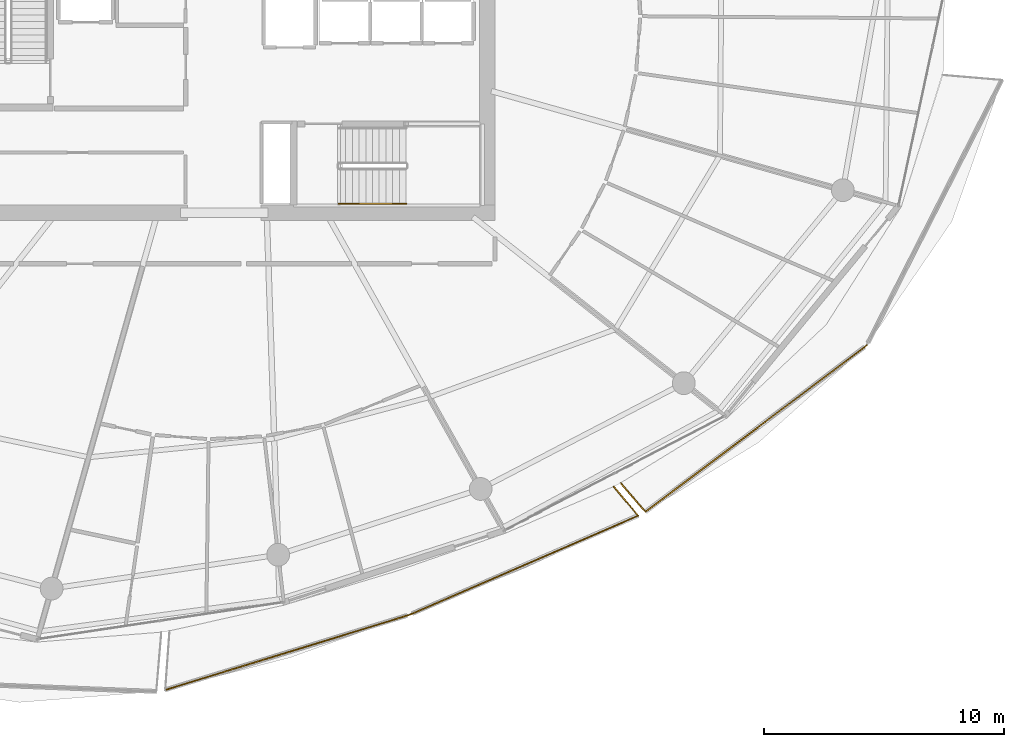
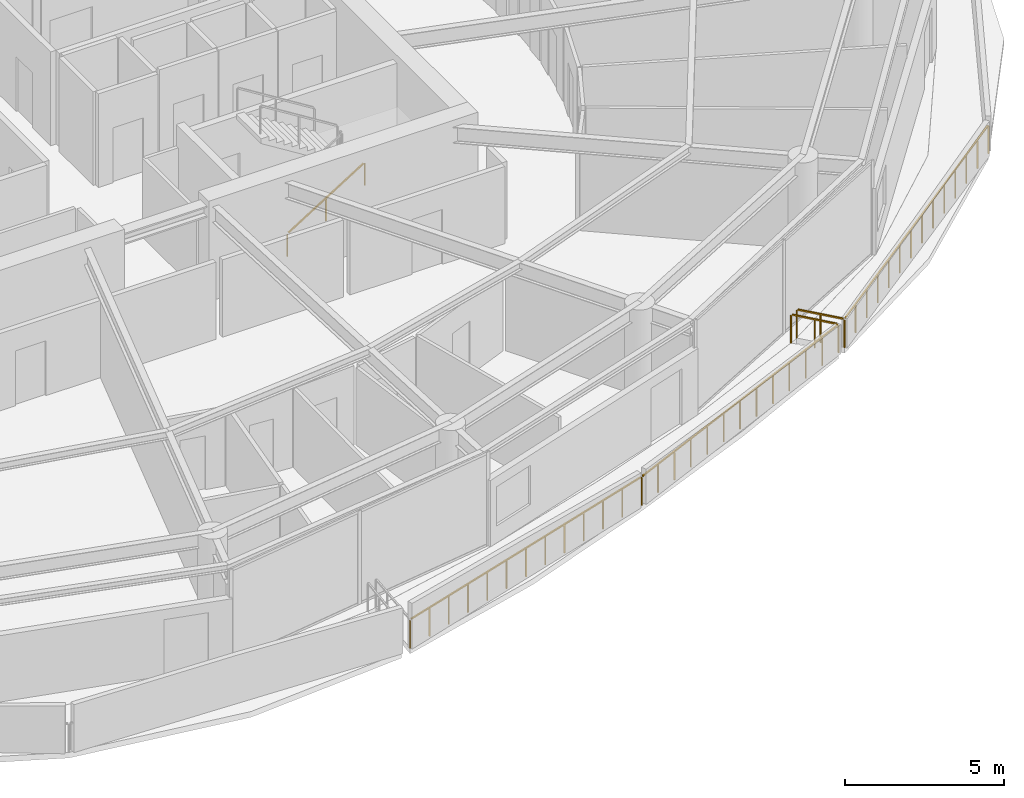
# One storey, part 27 of 31: 6 railings.
"""IFC4 building model written with IfcOpenShell, lengths in metres."""

from ifc_helpers import new_model, si_unit, direction, frame, origin, origin_2d, place, context, subcontext, project, spatial, rectangle, extrude, material, type_object, element, save


model = new_model("IFC4")

# Units and contexts
model_context = context("Model", 3, precision=1e-05, world=origin(), true_north=direction((0.0, 1.0)))
body_context = subcontext(model_context, "Body", "Model", "MODEL_VIEW")
ifc_project = project(units=[si_unit("LENGTHUNIT", "METRE"), si_unit("AREAUNIT", "SQUARE_METRE"), si_unit("VOLUMEUNIT", "CUBIC_METRE"), si_unit("PLANEANGLEUNIT", "RADIAN"), si_unit("MASSUNIT", "GRAM", prefix="KILO")], contexts=[model_context])

# Site, building, storey
site_placement = place(None, origin())
site = spatial("IfcSite", under=ifc_project, at=site_placement, CompositionType="ELEMENT")
building_placement = place(site_placement, origin())
building = spatial("IfcBuilding", under=site, at=building_placement, Name="Kazma Halo Residences", CompositionType="ELEMENT")
storey_placement = place(building_placement, frame((0.0, 0.0, 271.35009765625)))
storey = spatial("IfcBuildingStorey", under=building, at=storey_placement, Name="L68", CompositionType="ELEMENT", Elevation=271.35009765625)

# Railings
ifc_material_1 = material(Name="Aluminium AW-6063 T6 Brushed Cap Rail", Category="aluminium")
railing_type_1 = type_object("IfcRailingType", Name="RLG-BAL-CAP-1120", PredefinedType="BALUSTRADE", material=ifc_material_1)
railing_1_placement = place(storey_placement, frame((45.953369140625, 13.794189453125, 0.0)))
element("IfcRailing", 1, at=railing_1_placement, inside=storey, type_object=railing_type_1, Name="L68 SSE wave balcony guard 2", PredefinedType="BALUSTRADE", context=body_context, shape_type="SweptSolid", body=[
    extrude(rectangle(XDim=0.050048828125, YDim=0.050048828125, at=origin_2d()), frame((0.040771484375, 0.012451171875, 1.09521484375), z_axis=(0.955886857424, 0.293735111629, 0.0), x_axis=(-0.293735111629, 0.955886857424, 0.0)), (0.0, 0.0, 1.0), 10.57861328125),
    extrude(rectangle(XDim=0.0400390625, YDim=0.0400390625, at=origin_2d()), origin(), (0.0, 0.0, 1.0), 1.05810546875),
    extrude(rectangle(XDim=0.0400390625, YDim=0.0400390625, at=origin_2d()), frame((0.849365234375, 0.260986328125, 0.0)), (0.0, 0.0, 1.0), 1.05810546875),
    extrude(rectangle(XDim=0.0400390625, YDim=0.0400390625, at=origin_2d()), frame((1.698974609375, 0.52197265625, 0.0)), (0.0, 0.0, 1.0), 1.05810546875),
    extrude(rectangle(XDim=0.0400390625, YDim=0.0400390625, at=origin_2d()), frame((2.54833984375, 0.783203125, 0.0)), (0.0, 0.0, 1.0), 1.05810546875),
    extrude(rectangle(XDim=0.0400390625, YDim=0.0400390625, at=origin_2d()), frame((3.397705078125, 1.044189453125, 0.0)), (0.0, 0.0, 1.0), 1.05810546875),
    extrude(rectangle(XDim=0.0400390625, YDim=0.0400390625, at=origin_2d()), frame((4.247314453125, 1.30517578125, 0.0)), (0.0, 0.0, 1.0), 1.05810546875),
    extrude(rectangle(XDim=0.0400390625, YDim=0.0400390625, at=origin_2d()), frame((5.0966796875, 1.566162109375, 0.0)), (0.0, 0.0, 1.0), 1.05810546875),
    extrude(rectangle(XDim=0.0400390625, YDim=0.0400390625, at=origin_2d()), frame((5.946044921875, 1.8271484375, 0.0)), (0.0, 0.0, 1.0), 1.05810546875),
    extrude(rectangle(XDim=0.0400390625, YDim=0.0400390625, at=origin_2d()), frame((6.795654296875, 2.088134765625, 0.0)), (0.0, 0.0, 1.0), 1.05810546875),
    extrude(rectangle(XDim=0.0400390625, YDim=0.0400390625, at=origin_2d()), frame((7.64501953125, 2.34912109375, 0.0)), (0.0, 0.0, 1.0), 1.05810546875),
    extrude(rectangle(XDim=0.0400390625, YDim=0.0400390625, at=origin_2d()), frame((8.494384765625, 2.6103515625, 0.0)), (0.0, 0.0, 1.0), 1.05810546875),
    extrude(rectangle(XDim=0.0400390625, YDim=0.0400390625, at=origin_2d()), frame((9.343994140625, 2.871337890625, 0.0)), (0.0, 0.0, 1.0), 1.05810546875),
    extrude(rectangle(XDim=0.0400390625, YDim=0.0400390625, at=origin_2d()), frame((10.193359375, 3.13232421875, 0.0)), (0.0, 0.0, 1.0), 1.05810546875),
])
railing_2_placement = place(storey_placement, frame((56.146728515625, 16.926513671875, 0.0)))
element("IfcRailing", 2, at=railing_2_placement, inside=storey, type_object=railing_type_1, Name="L68 SSE wave balcony guard 3", PredefinedType="BALUSTRADE", context=body_context, shape_type="SweptSolid", body=[
    extrude(rectangle(XDim=0.050048828125, YDim=0.050048828125, at=origin_2d()), frame((0.0390625, 0.016845703125, 1.09521484375), z_axis=(0.917370135076, 0.398035218632, 0.0), x_axis=(-0.398035218632, 0.917370135076, 0.0)), (0.0, 0.0, 1.0), 10.29248046875),
    extrude(rectangle(XDim=0.0400390625, YDim=0.0400390625, at=origin_2d()), origin(), (0.0, 0.0, 1.0), 1.05810546875),
    extrude(rectangle(XDim=0.0400390625, YDim=0.0400390625, at=origin_2d()), frame((0.79345703125, 0.34423828125, 0.0)), (0.0, 0.0, 1.0), 1.05810546875),
    extrude(rectangle(XDim=0.0400390625, YDim=0.0400390625, at=origin_2d()), frame((1.586669921875, 0.6884765625, 0.0)), (0.0, 0.0, 1.0), 1.05810546875),
    extrude(rectangle(XDim=0.0400390625, YDim=0.0400390625, at=origin_2d()), frame((2.3798828125, 1.03271484375, 0.0)), (0.0, 0.0, 1.0), 1.05810546875),
    extrude(rectangle(XDim=0.0400390625, YDim=0.0400390625, at=origin_2d()), frame((3.17333984375, 1.376953125, 0.0)), (0.0, 0.0, 1.0), 1.05810546875),
    extrude(rectangle(XDim=0.0400390625, YDim=0.0400390625, at=origin_2d()), frame((3.966796875, 1.72119140625, 0.0)), (0.0, 0.0, 1.0), 1.05810546875),
    extrude(rectangle(XDim=0.0400390625, YDim=0.0400390625, at=origin_2d()), frame((4.760009765625, 2.0654296875, 0.0)), (0.0, 0.0, 1.0), 1.05810546875),
    extrude(rectangle(XDim=0.0400390625, YDim=0.0400390625, at=origin_2d()), frame((5.55322265625, 2.409423828125, 0.0)), (0.0, 0.0, 1.0), 1.05810546875),
    extrude(rectangle(XDim=0.0400390625, YDim=0.0400390625, at=origin_2d()), frame((6.3466796875, 2.753662109375, 0.0)), (0.0, 0.0, 1.0), 1.05810546875),
    extrude(rectangle(XDim=0.0400390625, YDim=0.0400390625, at=origin_2d()), frame((7.14013671875, 3.097900390625, 0.0)), (0.0, 0.0, 1.0), 1.05810546875),
    extrude(rectangle(XDim=0.0400390625, YDim=0.0400390625, at=origin_2d()), frame((7.933349609375, 3.442138671875, 0.0)), (0.0, 0.0, 1.0), 1.05810546875),
    extrude(rectangle(XDim=0.0400390625, YDim=0.0400390625, at=origin_2d()), frame((8.7265625, 3.786376953125, 0.0)), (0.0, 0.0, 1.0), 1.05810546875),
    extrude(rectangle(XDim=0.0400390625, YDim=0.0400390625, at=origin_2d()), frame((9.52001953125, 4.130615234375, 0.0)), (0.0, 0.0, 1.0), 1.05810546875),
])
railing_3_placement = place(storey_placement, frame((65.666748046875, 21.05712890625, 0.0)))
element("IfcRailing", 3, at=railing_3_placement, inside=storey, type_object=railing_type_1, Name="L68 SSE wave balcony guard 4", PredefinedType="BALUSTRADE", context=body_context, shape_type="SweptSolid", body=[
    extrude(rectangle(XDim=0.050048828125, YDim=0.050048828125, at=origin_2d()), frame((-0.02734375, 0.032470703125, 1.09521484375), z_axis=(-0.644823146011, 0.764331806461, 0.0), x_axis=(-0.764331806461, -0.644823146011, 0.0)), (0.0, 0.0, 1.0), 1.500244140625),
    extrude(rectangle(XDim=0.0400390625, YDim=0.0400390625, at=origin_2d()), origin(), (0.0, 0.0, 1.0), 1.05810546875),
    extrude(rectangle(XDim=0.0400390625, YDim=0.0400390625, at=origin_2d()), frame((-0.51123046875, 0.60595703125, 0.0)), (0.0, 0.0, 1.0), 1.05810546875),
    extrude(rectangle(XDim=0.0400390625, YDim=0.0400390625, at=origin_2d()), frame((-1.022216796875, 1.211669921875, 0.0)), (0.0, 0.0, 1.0), 1.05810546875),
])
railing_4_placement = place(storey_placement, frame((64.93212890625, 22.41845703125, 0.0)))
element("IfcRailing", 4, at=railing_4_placement, inside=storey, type_object=railing_type_1, Name="L68 SE wave balcony guard 1", PredefinedType="BALUSTRADE", context=body_context, shape_type="SweptSolid", body=[
    extrude(rectangle(XDim=0.050048828125, YDim=0.050048828125, at=origin_2d()), frame((0.02783203125, -0.0322265625, 1.09521484375), z_axis=(0.654135317285, -0.756377542422, 0.0), x_axis=(0.756377542422, 0.654135317285, 0.0)), (0.0, 0.0, 1.0), 1.505126953125),
    extrude(rectangle(XDim=0.0400390625, YDim=0.0400390625, at=origin_2d()), origin(), (0.0, 0.0, 1.0), 1.05810546875),
    extrude(rectangle(XDim=0.0400390625, YDim=0.0400390625, at=origin_2d()), frame((0.52001953125, -0.6015625, 0.0)), (0.0, 0.0, 1.0), 1.05810546875),
    extrude(rectangle(XDim=0.0400390625, YDim=0.0400390625, at=origin_2d()), frame((1.040283203125, -1.202880859375, 0.0)), (0.0, 0.0, 1.0), 1.05810546875),
])
railing_5_placement = place(storey_placement, frame((65.972412109375, 21.215576171875, 0.0)))
element("IfcRailing", 5, at=railing_5_placement, inside=storey, type_object=railing_type_1, Name="L68 SE wave balcony guard 2", PredefinedType="BALUSTRADE", context=body_context, shape_type="SweptSolid", body=[
    extrude(rectangle(XDim=0.050048828125, YDim=0.050048828125, at=origin_2d()), frame((0.033935546875, 0.025634765625, 1.09521484375), z_axis=(0.799153154591, 0.601127470265, 0.0), x_axis=(-0.601127470265, 0.799153154591, 0.0)), (0.0, 0.0, 1.0), 11.446044921875),
    extrude(rectangle(XDim=0.0400390625, YDim=0.0400390625, at=origin_2d()), origin(), (0.0, 0.0, 1.0), 1.05810546875),
    extrude(rectangle(XDim=0.0400390625, YDim=0.0400390625, at=origin_2d()), frame((0.708740234375, 0.533203125, 0.0)), (0.0, 0.0, 1.0), 1.05810546875),
    extrude(rectangle(XDim=0.0400390625, YDim=0.0400390625, at=origin_2d()), frame((1.417724609375, 1.06640625, 0.0)), (0.0, 0.0, 1.0), 1.05810546875),
    extrude(rectangle(XDim=0.0400390625, YDim=0.0400390625, at=origin_2d()), frame((2.12646484375, 1.599609375, 0.0)), (0.0, 0.0, 1.0), 1.05810546875),
    extrude(rectangle(XDim=0.0400390625, YDim=0.0400390625, at=origin_2d()), frame((2.83544921875, 2.1328125, 0.0)), (0.0, 0.0, 1.0), 1.05810546875),
    extrude(rectangle(XDim=0.0400390625, YDim=0.0400390625, at=origin_2d()), frame((3.544189453125, 2.666015625, 0.0)), (0.0, 0.0, 1.0), 1.05810546875),
    extrude(rectangle(XDim=0.0400390625, YDim=0.0400390625, at=origin_2d()), frame((4.253173828125, 3.19921875, 0.0)), (0.0, 0.0, 1.0), 1.05810546875),
    extrude(rectangle(XDim=0.0400390625, YDim=0.0400390625, at=origin_2d()), frame((4.9619140625, 3.732421875, 0.0)), (0.0, 0.0, 1.0), 1.05810546875),
    extrude(rectangle(XDim=0.0400390625, YDim=0.0400390625, at=origin_2d()), frame((5.6708984375, 4.265625, 0.0)), (0.0, 0.0, 1.0), 1.05810546875),
    extrude(rectangle(XDim=0.0400390625, YDim=0.0400390625, at=origin_2d()), frame((6.379638671875, 4.798828125, 0.0)), (0.0, 0.0, 1.0), 1.05810546875),
    extrude(rectangle(XDim=0.0400390625, YDim=0.0400390625, at=origin_2d()), frame((7.088623046875, 5.33203125, 0.0)), (0.0, 0.0, 1.0), 1.05810546875),
    extrude(rectangle(XDim=0.0400390625, YDim=0.0400390625, at=origin_2d()), frame((7.79736328125, 5.865234375, 0.0)), (0.0, 0.0, 1.0), 1.05810546875),
    extrude(rectangle(XDim=0.0400390625, YDim=0.0400390625, at=origin_2d()), frame((8.50634765625, 6.3984375, 0.0)), (0.0, 0.0, 1.0), 1.05810546875),
    extrude(rectangle(XDim=0.0400390625, YDim=0.0400390625, at=origin_2d()), frame((9.215087890625, 6.931640625, 0.0)), (0.0, 0.0, 1.0), 1.05810546875),
])
ifc_material_2 = material(Name="Brushed Stainless Steel", Category="steel")
railing_type_2 = type_object("IfcRailingType", Name="RLG-STAIR-HND-900", PredefinedType="HANDRAIL", material=ifc_material_2)
railing_6_placement = place(storey_placement, frame((53.199951171875, 34.050048828125, 0.1748046875)))
element("IfcRailing", 6, at=railing_6_placement, inside=storey, type_object=railing_type_2, Name="L68 ST-03 stair handrail 1", PredefinedType="HANDRAIL", context=body_context, shape_type="SweptSolid", body=[
    extrude(rectangle(XDim=0.050048828125, YDim=0.050048828125, at=origin_2d()), frame((0.0361328125, 0.0, 0.8974609375), z_axis=(0.848002457836, 0.0, 0.529992293815), x_axis=(0.0, 1.0, 0.0)), (0.0, 0.0, 1.0), 3.216796875),
    extrude(rectangle(XDim=0.0400390625, YDim=0.0400390625, at=origin_2d()), origin(), (0.0, 0.0, 1.0), 0.837890625),
    extrude(rectangle(XDim=0.0400390625, YDim=0.0400390625, at=origin_2d()), frame((1.39990234375, 0.0, 0.875)), (0.0, 0.0, 1.0), 0.837890625),
    extrude(rectangle(XDim=0.0400390625, YDim=0.0400390625, at=origin_2d()), frame((2.800048828125, 0.0, 1.75)), (0.0, 0.0, 1.0), 0.837890625),
])

save(model, "model.ifc")
